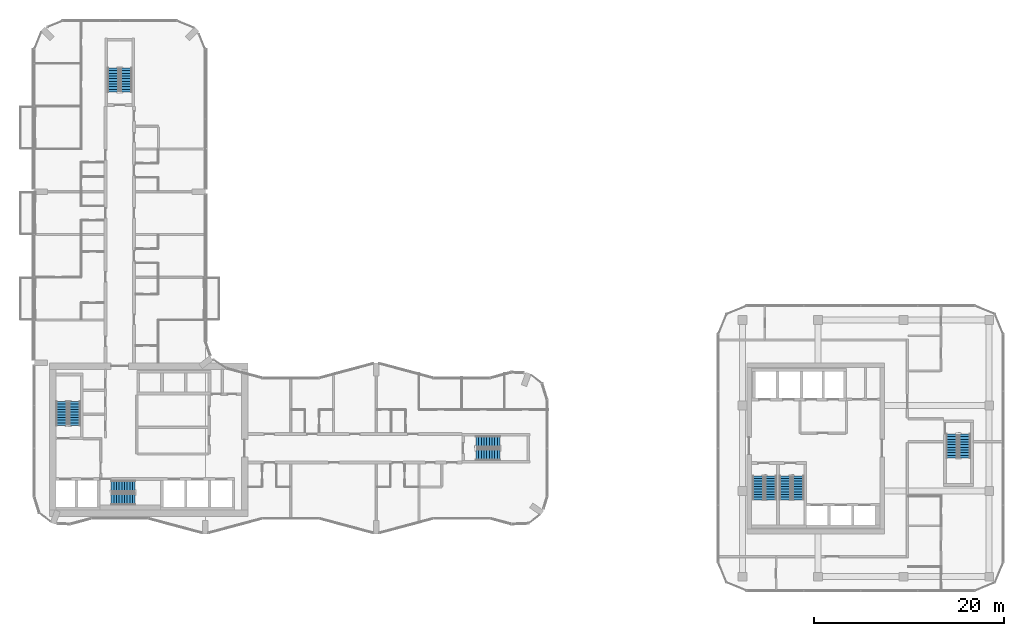
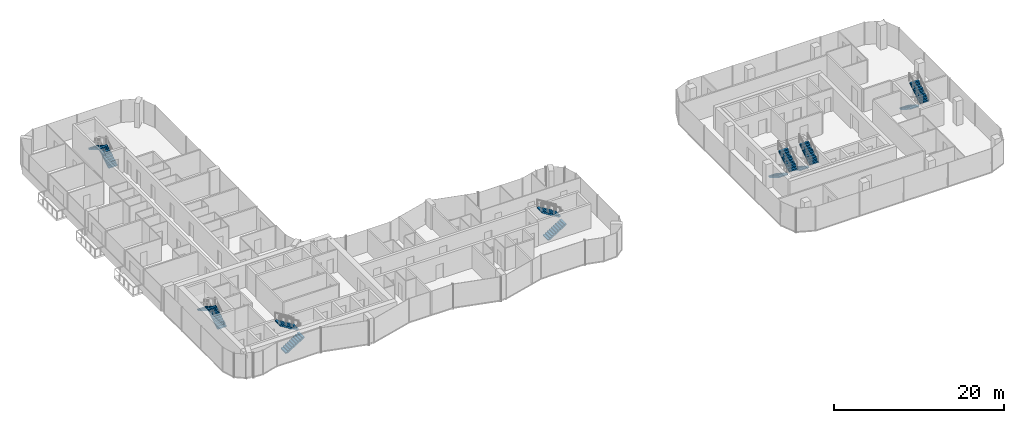
# One storey, part 19 of 22: 14 stair flights, 7 elements without a shape of their own.
"""IFC4 building model written with IfcOpenShell, lengths in metres."""

from ifc_helpers import new_model, si_unit, direction, frame, origin, place, context, subcontext, project, spatial, polyline, outline, extrude, material, type_object, element, aggregate, save


model = new_model("IFC4")

# Units and contexts
model_context = context("Model", 3, precision=1e-05, world=origin(), true_north=direction((0.0, 1.0)))
body_context = subcontext(model_context, "Body", "Model", "MODEL_VIEW")
ifc_project = project(units=[si_unit("LENGTHUNIT", "METRE"), si_unit("AREAUNIT", "SQUARE_METRE"), si_unit("VOLUMEUNIT", "CUBIC_METRE"), si_unit("PLANEANGLEUNIT", "RADIAN"), si_unit("MASSUNIT", "GRAM", prefix="KILO")], contexts=[model_context])

# Site, building, storey
site_placement = place(None, origin())
site = spatial("IfcSite", under=ifc_project, at=site_placement, CompositionType="ELEMENT")
building_placement = place(site_placement, origin())
building = spatial("IfcBuilding", under=site, at=building_placement, Name="Plateau Cross Towers", CompositionType="ELEMENT")
storey_placement = place(building_placement, frame((0.0, 0.0, 61.800048828125)))
storey = spatial("IfcBuildingStorey", under=building, at=storey_placement, Name="L15", CompositionType="ELEMENT", Elevation=61.800048828125)

# Stair, stair flights
ifc_material = material(Name="Concrete C40/50", Category="concrete")
stair_type = type_object("IfcStairType", Name="ST-TWR", PredefinedType="HALF_TURN_STAIR", material=ifc_material)
stair_1_placement = place(storey_placement, origin())
stair_1 = element("IfcStair", 1, at=stair_1_placement, inside=storey, type_object=stair_type, Name="L15 Protected Exit Stair ST-1", PredefinedType="HALF_TURN_STAIR")
stair_flight_type = type_object("IfcStairFlightType", Name="SFL-RC", PredefinedType="STRAIGHT", material=ifc_material)
stair_flight_1_placement = place(storey_placement, frame((4.25, 11.39990234375, 0.0), z_axis=(0.0, 0.0, 1.0), x_axis=(0.0, 1.0, 0.0)))
stair_flight_1 = element("IfcStairFlight", 2, at=stair_flight_1_placement, type_object=stair_flight_type, Name="ST-1 flight 1", NumberOfRisers=10, NumberOfTreads=9, PredefinedType="STRAIGHT", RiserHeight=0.175, TreadLength=0.28, context=body_context, shape_type="SweptSolid", body=[
    extrude(outline(polyline([(-0.0048828125, -0.010009765625), (-0.0048828125, 0.0), (0.0, 0.0), (0.0, 0.175048828125), (0.280029296875, 0.175048828125), (0.280029296875, 0.35009765625), (0.56005859375, 0.35009765625), (0.56005859375, 0.52490234375), (0.840087890625, 0.52490234375), (0.840087890625, 0.699951171875), (1.1201171875, 0.699951171875), (1.1201171875, 0.875), (1.39990234375, 0.875), (1.39990234375, 1.050048828125), (1.679931640625, 1.050048828125), (1.679931640625, 1.22509765625), (1.9599609375, 1.22509765625), (1.9599609375, 1.39990234375), (2.239990234375, 1.39990234375), (2.239990234375, 1.574951171875), (2.52001953125, 1.574951171875), (2.52490234375, 1.56494140625), (2.52490234375, 1.398193359375), (2.52001953125, 1.398193359375), (0.28271484375, 0.0), (0.02001953125, 0.0), (0.02001953125, -0.010009765625), (-0.0048828125, -0.010009765625)])), frame((0.0, 0.60009765625, 0.0), z_axis=(0.0, -1.0, 0.0), x_axis=(1.0, 0.0, 0.0)), (0.0, 0.0, 1.0), 1.199951171875),
])
stair_flight_2_placement = place(storey_placement, frame((2.89990234375, 13.919921875, 1.75), z_axis=(0.0, 0.0, 1.0), x_axis=(0.0, -1.0, 0.0)))
stair_flight_2 = element("IfcStairFlight", 3, at=stair_flight_2_placement, type_object=stair_flight_type, Name="ST-1 flight 2", NumberOfRisers=10, NumberOfTreads=9, PredefinedType="STRAIGHT", RiserHeight=0.175, TreadLength=0.28, context=body_context, shape_type="SweptSolid", body=[
    extrude(outline(polyline([(-0.0048828125, -0.010009765625), (-0.0048828125, 0.0), (0.0, 0.0), (0.0, 0.175048828125), (0.280029296875, 0.175048828125), (0.280029296875, 0.35009765625), (0.56005859375, 0.35009765625), (0.56005859375, 0.52490234375), (0.840087890625, 0.52490234375), (0.840087890625, 0.699951171875), (1.1201171875, 0.699951171875), (1.1201171875, 0.875), (1.39990234375, 0.875), (1.39990234375, 1.050048828125), (1.679931640625, 1.050048828125), (1.679931640625, 1.22509765625), (1.9599609375, 1.22509765625), (1.9599609375, 1.39990234375), (2.239990234375, 1.39990234375), (2.239990234375, 1.574951171875), (2.52001953125, 1.574951171875), (2.52490234375, 1.56494140625), (2.52490234375, 1.398193359375), (2.52001953125, 1.398193359375), (0.28271484375, 0.0), (0.02001953125, 0.0), (0.02001953125, -0.010009765625), (-0.0048828125, -0.010009765625)])), frame((0.0, 0.60009765625, 0.0), z_axis=(0.0, -1.0, 0.0), x_axis=(1.0, 0.0, 0.0)), (0.0, 0.0, 1.0), 1.199951171875),
])
aggregate(stair_1, [stair_flight_1, stair_flight_2])

stair_2_placement = place(storey_placement, origin())
stair_2 = element("IfcStair", 4, at=stair_2_placement, inside=storey, type_object=stair_type, Name="L15 Protected Exit Stair ST-2", PredefinedType="HALF_TURN_STAIR")
stair_flight_3_placement = place(storey_placement, frame((8.10009765625, 3.64990234375, 0.0), z_axis=(0.0, 0.0, 1.0), x_axis=(1.0, 0.0, 0.0)))
stair_flight_3 = element("IfcStairFlight", 5, at=stair_flight_3_placement, type_object=stair_flight_type, Name="ST-2 flight 1", NumberOfRisers=10, NumberOfTreads=9, PredefinedType="STRAIGHT", RiserHeight=0.175, TreadLength=0.28, context=body_context, shape_type="SweptSolid", body=[
    extrude(outline(polyline([(-0.0048828125, -0.010009765625), (-0.0048828125, 0.0), (0.0, 0.0), (0.0, 0.175048828125), (0.280029296875, 0.175048828125), (0.280029296875, 0.35009765625), (0.56005859375, 0.35009765625), (0.56005859375, 0.52490234375), (0.840087890625, 0.52490234375), (0.840087890625, 0.699951171875), (1.1201171875, 0.699951171875), (1.1201171875, 0.875), (1.39990234375, 0.875), (1.39990234375, 1.050048828125), (1.679931640625, 1.050048828125), (1.679931640625, 1.22509765625), (1.9599609375, 1.22509765625), (1.9599609375, 1.39990234375), (2.239990234375, 1.39990234375), (2.239990234375, 1.574951171875), (2.52001953125, 1.574951171875), (2.52490234375, 1.56494140625), (2.52490234375, 1.398193359375), (2.52001953125, 1.398193359375), (0.28271484375, 0.0), (0.02001953125, 0.0), (0.02001953125, -0.010009765625), (-0.0048828125, -0.010009765625)])), frame((0.0, 0.60009765625, 0.0), z_axis=(0.0, -1.0, 0.0), x_axis=(1.0, 0.0, 0.0)), (0.0, 0.0, 1.0), 1.199951171875),
])
stair_flight_4_placement = place(storey_placement, frame((10.6201171875, 5.0, 1.75), z_axis=(0.0, 0.0, 1.0), x_axis=(-1.0, 0.0, 0.0)))
stair_flight_4 = element("IfcStairFlight", 6, at=stair_flight_4_placement, type_object=stair_flight_type, Name="ST-2 flight 2", NumberOfRisers=10, NumberOfTreads=9, PredefinedType="STRAIGHT", RiserHeight=0.175, TreadLength=0.28, context=body_context, shape_type="SweptSolid", body=[
    extrude(outline(polyline([(-0.0048828125, -0.010009765625), (-0.0048828125, 0.0), (0.0, 0.0), (0.0, 0.175048828125), (0.280029296875, 0.175048828125), (0.280029296875, 0.35009765625), (0.56005859375, 0.35009765625), (0.56005859375, 0.52490234375), (0.840087890625, 0.52490234375), (0.840087890625, 0.699951171875), (1.1201171875, 0.699951171875), (1.1201171875, 0.875), (1.39990234375, 0.875), (1.39990234375, 1.050048828125), (1.679931640625, 1.050048828125), (1.679931640625, 1.22509765625), (1.9599609375, 1.22509765625), (1.9599609375, 1.39990234375), (2.239990234375, 1.39990234375), (2.239990234375, 1.574951171875), (2.52001953125, 1.574951171875), (2.52490234375, 1.56494140625), (2.52490234375, 1.398193359375), (2.52001953125, 1.398193359375), (0.28271484375, 0.0), (0.02001953125, 0.0), (0.02001953125, -0.010009765625), (-0.0048828125, -0.010009765625)])), frame((0.0, 0.60009765625, 0.0), z_axis=(0.0, -1.0, 0.0), x_axis=(1.0, 0.0, 0.0)), (0.0, 0.0, 1.0), 1.199951171875),
])
aggregate(stair_2, [stair_flight_3, stair_flight_4])

stair_3_placement = place(storey_placement, origin())
stair_3 = element("IfcStair", 7, at=stair_3_placement, inside=storey, type_object=stair_type, Name="L15 Protected Exit Stair SB-1", PredefinedType="HALF_TURN_STAIR")
stair_flight_5_placement = place(storey_placement, frame((76.199951171875, 6.10009765625, 0.0), z_axis=(0.0, 0.0, 1.0), x_axis=(0.0, -1.0, 0.0)))
stair_flight_5 = element("IfcStairFlight", 8, at=stair_flight_5_placement, type_object=stair_flight_type, Name="SB-1 flight 1", NumberOfRisers=10, NumberOfTreads=9, PredefinedType="STRAIGHT", RiserHeight=0.175, TreadLength=0.28, context=body_context, shape_type="SweptSolid", body=[
    extrude(outline(polyline([(-0.0048828125, -0.010009765625), (-0.0048828125, 0.0), (0.0, 0.0), (0.0, 0.175048828125), (0.280029296875, 0.175048828125), (0.280029296875, 0.35009765625), (0.56005859375, 0.35009765625), (0.56005859375, 0.52490234375), (0.840087890625, 0.52490234375), (0.840087890625, 0.699951171875), (1.1201171875, 0.699951171875), (1.1201171875, 0.875), (1.39990234375, 0.875), (1.39990234375, 1.050048828125), (1.679931640625, 1.050048828125), (1.679931640625, 1.22509765625), (1.9599609375, 1.22509765625), (1.9599609375, 1.39990234375), (2.239990234375, 1.39990234375), (2.239990234375, 1.574951171875), (2.52001953125, 1.574951171875), (2.52490234375, 1.56494140625), (2.52490234375, 1.398193359375), (2.52001953125, 1.398193359375), (0.28271484375, 0.0), (0.02001953125, 0.0), (0.02001953125, -0.010009765625), (-0.0048828125, -0.010009765625)])), frame((0.0, 0.60009765625, 0.0), z_axis=(0.0, -1.0, 0.0), x_axis=(1.0, 0.0, 0.0)), (0.0, 0.0, 1.0), 1.199951171875),
])
stair_flight_6_placement = place(storey_placement, frame((77.550048828125, 3.580078125, 1.75), z_axis=(0.0, 0.0, 1.0), x_axis=(0.0, 1.0, 0.0)))
stair_flight_6 = element("IfcStairFlight", 9, at=stair_flight_6_placement, type_object=stair_flight_type, Name="SB-1 flight 2", NumberOfRisers=10, NumberOfTreads=9, PredefinedType="STRAIGHT", RiserHeight=0.175, TreadLength=0.28, context=body_context, shape_type="SweptSolid", body=[
    extrude(outline(polyline([(-0.0048828125, -0.010009765625), (-0.0048828125, 0.0), (0.0, 0.0), (0.0, 0.175048828125), (0.280029296875, 0.175048828125), (0.280029296875, 0.35009765625), (0.56005859375, 0.35009765625), (0.56005859375, 0.52490234375), (0.840087890625, 0.52490234375), (0.840087890625, 0.699951171875), (1.1201171875, 0.699951171875), (1.1201171875, 0.875), (1.39990234375, 0.875), (1.39990234375, 1.050048828125), (1.679931640625, 1.050048828125), (1.679931640625, 1.22509765625), (1.9599609375, 1.22509765625), (1.9599609375, 1.39990234375), (2.239990234375, 1.39990234375), (2.239990234375, 1.574951171875), (2.52001953125, 1.574951171875), (2.52490234375, 1.56494140625), (2.52490234375, 1.398193359375), (2.52001953125, 1.398193359375), (0.28271484375, 0.0), (0.02001953125, 0.0), (0.02001953125, -0.010009765625), (-0.0048828125, -0.010009765625)])), frame((0.0, 0.60009765625, 0.0), z_axis=(0.0, -1.0, 0.0), x_axis=(1.0, 0.0, 0.0)), (0.0, 0.0, 1.0), 1.199951171875),
])
aggregate(stair_3, [stair_flight_5, stair_flight_6])

stair_4_placement = place(storey_placement, origin())
stair_4 = element("IfcStair", 10, at=stair_4_placement, inside=storey, type_object=stair_type, Name="L15 Protected Exit Stair SB-2", PredefinedType="HALF_TURN_STAIR")
stair_flight_7_placement = place(storey_placement, frame((79.050048828125, 6.10009765625, 0.0), z_axis=(0.0, 0.0, 1.0), x_axis=(0.0, -1.0, 0.0)))
stair_flight_7 = element("IfcStairFlight", 11, at=stair_flight_7_placement, type_object=stair_flight_type, Name="SB-2 flight 1", NumberOfRisers=10, NumberOfTreads=9, PredefinedType="STRAIGHT", RiserHeight=0.175, TreadLength=0.28, context=body_context, shape_type="SweptSolid", body=[
    extrude(outline(polyline([(-0.0048828125, -0.010009765625), (-0.0048828125, 0.0), (0.0, 0.0), (0.0, 0.175048828125), (0.280029296875, 0.175048828125), (0.280029296875, 0.35009765625), (0.56005859375, 0.35009765625), (0.56005859375, 0.52490234375), (0.840087890625, 0.52490234375), (0.840087890625, 0.699951171875), (1.1201171875, 0.699951171875), (1.1201171875, 0.875), (1.39990234375, 0.875), (1.39990234375, 1.050048828125), (1.679931640625, 1.050048828125), (1.679931640625, 1.22509765625), (1.9599609375, 1.22509765625), (1.9599609375, 1.39990234375), (2.239990234375, 1.39990234375), (2.239990234375, 1.574951171875), (2.52001953125, 1.574951171875), (2.52490234375, 1.56494140625), (2.52490234375, 1.398193359375), (2.52001953125, 1.398193359375), (0.28271484375, 0.0), (0.02001953125, 0.0), (0.02001953125, -0.010009765625), (-0.0048828125, -0.010009765625)])), frame((0.0, 0.60009765625, 0.0), z_axis=(0.0, -1.0, 0.0), x_axis=(1.0, 0.0, 0.0)), (0.0, 0.0, 1.0), 1.199951171875),
])
stair_flight_8_placement = place(storey_placement, frame((80.39990234375, 3.580078125, 1.75), z_axis=(0.0, 0.0, 1.0), x_axis=(0.0, 1.0, 0.0)))
stair_flight_8 = element("IfcStairFlight", 12, at=stair_flight_8_placement, type_object=stair_flight_type, Name="SB-2 flight 2", NumberOfRisers=10, NumberOfTreads=9, PredefinedType="STRAIGHT", RiserHeight=0.175, TreadLength=0.28, context=body_context, shape_type="SweptSolid", body=[
    extrude(outline(polyline([(-0.0048828125, -0.010009765625), (-0.0048828125, 0.0), (0.0, 0.0), (0.0, 0.175048828125), (0.280029296875, 0.175048828125), (0.280029296875, 0.35009765625), (0.56005859375, 0.35009765625), (0.56005859375, 0.52490234375), (0.840087890625, 0.52490234375), (0.840087890625, 0.699951171875), (1.1201171875, 0.699951171875), (1.1201171875, 0.875), (1.39990234375, 0.875), (1.39990234375, 1.050048828125), (1.679931640625, 1.050048828125), (1.679931640625, 1.22509765625), (1.9599609375, 1.22509765625), (1.9599609375, 1.39990234375), (2.239990234375, 1.39990234375), (2.239990234375, 1.574951171875), (2.52001953125, 1.574951171875), (2.52490234375, 1.56494140625), (2.52490234375, 1.398193359375), (2.52001953125, 1.398193359375), (0.28271484375, 0.0), (0.02001953125, 0.0), (0.02001953125, -0.010009765625), (-0.0048828125, -0.010009765625)])), frame((0.0, 0.60009765625, 0.0), z_axis=(0.0, -1.0, 0.0), x_axis=(1.0, 0.0, 0.0)), (0.0, 0.0, 1.0), 1.199951171875),
])
aggregate(stair_4, [stair_flight_7, stair_flight_8])

stair_5_placement = place(storey_placement, origin())
stair_5 = element("IfcStair", 13, at=stair_5_placement, inside=storey, type_object=stair_type, Name="L15 Protected Exit Stair SB-3", PredefinedType="HALF_TURN_STAIR")
stair_flight_9_placement = place(storey_placement, frame((96.60009765625, 10.5, 0.0), z_axis=(0.0, 0.0, 1.0), x_axis=(0.0, -1.0, 0.0)))
stair_flight_9 = element("IfcStairFlight", 14, at=stair_flight_9_placement, type_object=stair_flight_type, Name="SB-3 flight 1", NumberOfRisers=10, NumberOfTreads=9, PredefinedType="STRAIGHT", RiserHeight=0.175, TreadLength=0.28, context=body_context, shape_type="SweptSolid", body=[
    extrude(outline(polyline([(-0.0048828125, -0.010009765625), (-0.0048828125, 0.0), (0.0, 0.0), (0.0, 0.175048828125), (0.280029296875, 0.175048828125), (0.280029296875, 0.35009765625), (0.56005859375, 0.35009765625), (0.56005859375, 0.52490234375), (0.840087890625, 0.52490234375), (0.840087890625, 0.699951171875), (1.1201171875, 0.699951171875), (1.1201171875, 0.875), (1.39990234375, 0.875), (1.39990234375, 1.050048828125), (1.679931640625, 1.050048828125), (1.679931640625, 1.22509765625), (1.9599609375, 1.22509765625), (1.9599609375, 1.39990234375), (2.239990234375, 1.39990234375), (2.239990234375, 1.574951171875), (2.52001953125, 1.574951171875), (2.52490234375, 1.56494140625), (2.52490234375, 1.398193359375), (2.52001953125, 1.398193359375), (0.28271484375, 0.0), (0.02001953125, 0.0), (0.02001953125, -0.010009765625), (-0.0048828125, -0.010009765625)])), frame((0.0, 0.60009765625, 0.0), z_axis=(0.0, -1.0, 0.0), x_axis=(1.0, 0.0, 0.0)), (0.0, 0.0, 1.0), 1.199951171875),
])
stair_flight_10_placement = place(storey_placement, frame((97.949951171875, 7.97998046875, 1.75), z_axis=(0.0, 0.0, 1.0), x_axis=(0.0, 1.0, 0.0)))
stair_flight_10 = element("IfcStairFlight", 15, at=stair_flight_10_placement, type_object=stair_flight_type, Name="SB-3 flight 2", NumberOfRisers=10, NumberOfTreads=9, PredefinedType="STRAIGHT", RiserHeight=0.175, TreadLength=0.28, context=body_context, shape_type="SweptSolid", body=[
    extrude(outline(polyline([(-0.0048828125, -0.010009765625), (-0.0048828125, 0.0), (0.0, 0.0), (0.0, 0.175048828125), (0.280029296875, 0.175048828125), (0.280029296875, 0.35009765625), (0.56005859375, 0.35009765625), (0.56005859375, 0.52490234375), (0.840087890625, 0.52490234375), (0.840087890625, 0.699951171875), (1.1201171875, 0.699951171875), (1.1201171875, 0.875), (1.39990234375, 0.875), (1.39990234375, 1.050048828125), (1.679931640625, 1.050048828125), (1.679931640625, 1.22509765625), (1.9599609375, 1.22509765625), (1.9599609375, 1.39990234375), (2.239990234375, 1.39990234375), (2.239990234375, 1.574951171875), (2.52001953125, 1.574951171875), (2.52490234375, 1.56494140625), (2.52490234375, 1.398193359375), (2.52001953125, 1.398193359375), (0.28271484375, 0.0), (0.02001953125, 0.0), (0.02001953125, -0.010009765625), (-0.0048828125, -0.010009765625)])), frame((0.0, 0.60009765625, 0.0), z_axis=(0.0, -1.0, 0.0), x_axis=(1.0, 0.0, 0.0)), (0.0, 0.0, 1.0), 1.199951171875),
])
aggregate(stair_5, [stair_flight_9, stair_flight_10])

stair_6_placement = place(storey_placement, origin())
stair_6 = element("IfcStair", 16, at=stair_6_placement, inside=storey, type_object=stair_type, Name="L15 Protected Exit Stair E", PredefinedType="HALF_TURN_STAIR")
stair_flight_11_placement = place(storey_placement, frame((46.5, 8.324951171875, 0.0), z_axis=(0.0, 0.0, 1.0), x_axis=(1.0, 0.0, 0.0)))
stair_flight_11 = element("IfcStairFlight", 17, at=stair_flight_11_placement, type_object=stair_flight_type, Name="ES-E flight 1", NumberOfRisers=10, NumberOfTreads=9, PredefinedType="STRAIGHT", RiserHeight=0.175, TreadLength=0.28, context=body_context, shape_type="SweptSolid", body=[
    extrude(outline(polyline([(-0.0048828125, -0.010009765625), (-0.0048828125, 0.0), (0.0, 0.0), (0.0, 0.175048828125), (0.280029296875, 0.175048828125), (0.280029296875, 0.35009765625), (0.56005859375, 0.35009765625), (0.56005859375, 0.52490234375), (0.840087890625, 0.52490234375), (0.840087890625, 0.699951171875), (1.1201171875, 0.699951171875), (1.1201171875, 0.875), (1.39990234375, 0.875), (1.39990234375, 1.050048828125), (1.679931640625, 1.050048828125), (1.679931640625, 1.22509765625), (1.9599609375, 1.22509765625), (1.9599609375, 1.39990234375), (2.239990234375, 1.39990234375), (2.239990234375, 1.574951171875), (2.52001953125, 1.574951171875), (2.52490234375, 1.56494140625), (2.52490234375, 1.398193359375), (2.52001953125, 1.398193359375), (0.28271484375, 0.0), (0.02001953125, 0.0), (0.02001953125, -0.010009765625), (-0.0048828125, -0.010009765625)])), frame((0.0, 0.60009765625, 0.0), z_axis=(0.0, -1.0, 0.0), x_axis=(1.0, 0.0, 0.0)), (0.0, 0.0, 1.0), 1.199951171875),
])
stair_flight_12_placement = place(storey_placement, frame((49.02001953125, 9.675048828125, 1.75), z_axis=(0.0, 0.0, 1.0), x_axis=(-1.0, 0.0, 0.0)))
stair_flight_12 = element("IfcStairFlight", 18, at=stair_flight_12_placement, type_object=stair_flight_type, Name="ES-E flight 2", NumberOfRisers=10, NumberOfTreads=9, PredefinedType="STRAIGHT", RiserHeight=0.175, TreadLength=0.28, context=body_context, shape_type="SweptSolid", body=[
    extrude(outline(polyline([(-0.0048828125, -0.010009765625), (-0.0048828125, 0.0), (0.0, 0.0), (0.0, 0.175048828125), (0.280029296875, 0.175048828125), (0.280029296875, 0.35009765625), (0.56005859375, 0.35009765625), (0.56005859375, 0.52490234375), (0.840087890625, 0.52490234375), (0.840087890625, 0.699951171875), (1.1201171875, 0.699951171875), (1.1201171875, 0.875), (1.39990234375, 0.875), (1.39990234375, 1.050048828125), (1.679931640625, 1.050048828125), (1.679931640625, 1.22509765625), (1.9599609375, 1.22509765625), (1.9599609375, 1.39990234375), (2.239990234375, 1.39990234375), (2.239990234375, 1.574951171875), (2.52001953125, 1.574951171875), (2.52490234375, 1.56494140625), (2.52490234375, 1.398193359375), (2.52001953125, 1.398193359375), (0.28271484375, 0.0), (0.02001953125, 0.0), (0.02001953125, -0.010009765625), (-0.0048828125, -0.010009765625)])), frame((0.0, 0.60009765625, 0.0), z_axis=(0.0, -1.0, 0.0), x_axis=(1.0, 0.0, 0.0)), (0.0, 0.0, 1.0), 1.199951171875),
])
aggregate(stair_6, [stair_flight_11, stair_flight_12])

stair_7_placement = place(storey_placement, origin())
stair_7 = element("IfcStair", 19, at=stair_7_placement, inside=storey, type_object=stair_type, Name="L15 Protected Exit Stair N", PredefinedType="HALF_TURN_STAIR")
stair_flight_13_placement = place(storey_placement, frame((9.675048828125, 46.5, 0.0), z_axis=(0.0, 0.0, 1.0), x_axis=(0.0, 1.0, 0.0)))
stair_flight_13 = element("IfcStairFlight", 20, at=stair_flight_13_placement, type_object=stair_flight_type, Name="ES-N flight 1", NumberOfRisers=10, NumberOfTreads=9, PredefinedType="STRAIGHT", RiserHeight=0.175, TreadLength=0.28, context=body_context, shape_type="SweptSolid", body=[
    extrude(outline(polyline([(-0.0048828125, -0.010009765625), (-0.0048828125, 0.0), (0.0, 0.0), (0.0, 0.175048828125), (0.280029296875, 0.175048828125), (0.280029296875, 0.35009765625), (0.56005859375, 0.35009765625), (0.56005859375, 0.52490234375), (0.840087890625, 0.52490234375), (0.840087890625, 0.699951171875), (1.1201171875, 0.699951171875), (1.1201171875, 0.875), (1.39990234375, 0.875), (1.39990234375, 1.050048828125), (1.679931640625, 1.050048828125), (1.679931640625, 1.22509765625), (1.9599609375, 1.22509765625), (1.9599609375, 1.39990234375), (2.239990234375, 1.39990234375), (2.239990234375, 1.574951171875), (2.52001953125, 1.574951171875), (2.52490234375, 1.56494140625), (2.52490234375, 1.398193359375), (2.52001953125, 1.398193359375), (0.28271484375, 0.0), (0.02001953125, 0.0), (0.02001953125, -0.010009765625), (-0.0048828125, -0.010009765625)])), frame((0.0, 0.60009765625, 0.0), z_axis=(0.0, -1.0, 0.0), x_axis=(1.0, 0.0, 0.0)), (0.0, 0.0, 1.0), 1.199951171875),
])
stair_flight_14_placement = place(storey_placement, frame((8.324951171875, 49.02001953125, 1.75), z_axis=(0.0, 0.0, 1.0), x_axis=(0.0, -1.0, 0.0)))
stair_flight_14 = element("IfcStairFlight", 21, at=stair_flight_14_placement, type_object=stair_flight_type, Name="ES-N flight 2", NumberOfRisers=10, NumberOfTreads=9, PredefinedType="STRAIGHT", RiserHeight=0.175, TreadLength=0.28, context=body_context, shape_type="SweptSolid", body=[
    extrude(outline(polyline([(-0.0048828125, -0.010009765625), (-0.0048828125, 0.0), (0.0, 0.0), (0.0, 0.175048828125), (0.280029296875, 0.175048828125), (0.280029296875, 0.35009765625), (0.56005859375, 0.35009765625), (0.56005859375, 0.52490234375), (0.840087890625, 0.52490234375), (0.840087890625, 0.699951171875), (1.1201171875, 0.699951171875), (1.1201171875, 0.875), (1.39990234375, 0.875), (1.39990234375, 1.050048828125), (1.679931640625, 1.050048828125), (1.679931640625, 1.22509765625), (1.9599609375, 1.22509765625), (1.9599609375, 1.39990234375), (2.239990234375, 1.39990234375), (2.239990234375, 1.574951171875), (2.52001953125, 1.574951171875), (2.52490234375, 1.56494140625), (2.52490234375, 1.398193359375), (2.52001953125, 1.398193359375), (0.28271484375, 0.0), (0.02001953125, 0.0), (0.02001953125, -0.010009765625), (-0.0048828125, -0.010009765625)])), frame((0.0, 0.60009765625, 0.0), z_axis=(0.0, -1.0, 0.0), x_axis=(1.0, 0.0, 0.0)), (0.0, 0.0, 1.0), 1.199951171875),
])
aggregate(stair_7, [stair_flight_13, stair_flight_14])

save(model, "model.ifc")
